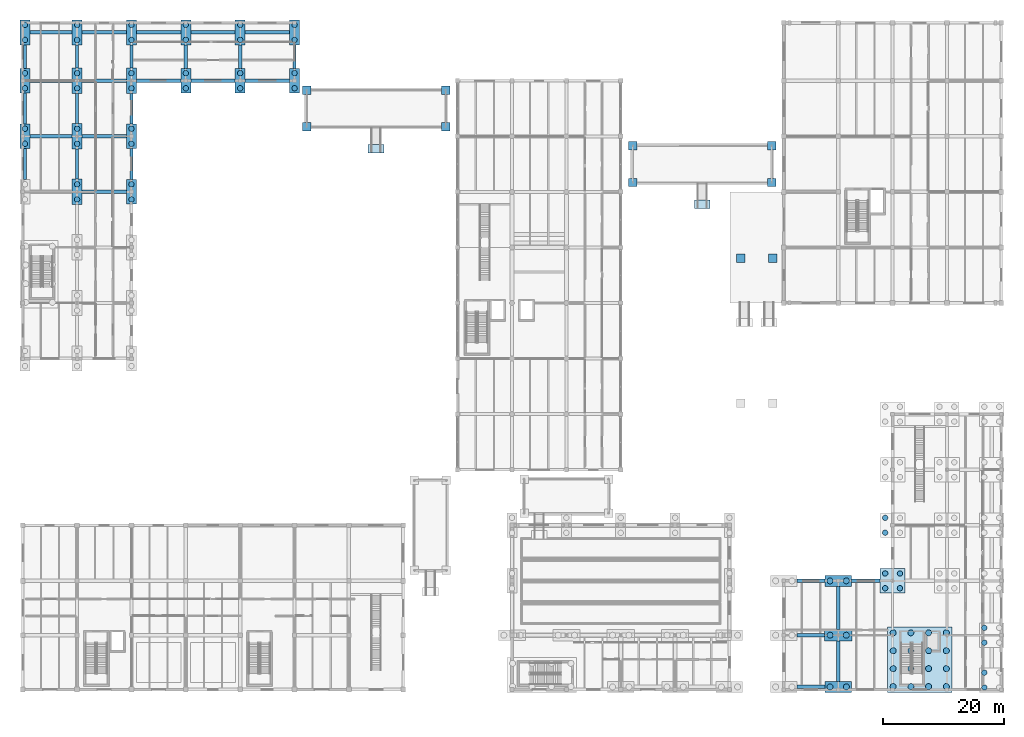
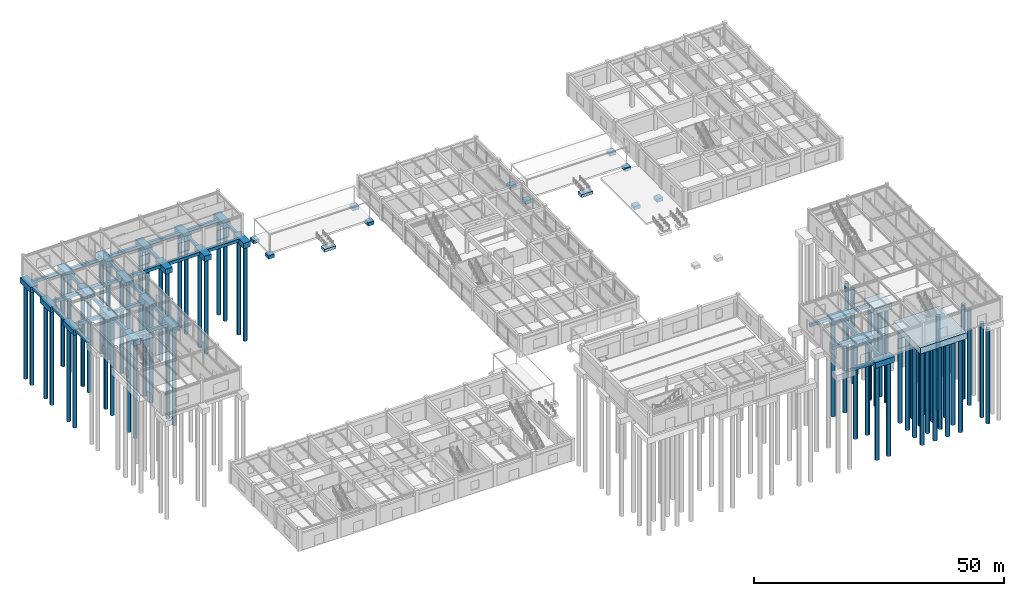
# One storey, part 2 of 76: 66 piles, 65 footings.
"""IFC4 building model written with IfcOpenShell, lengths in metres."""

import ifcopenshell
import ifcopenshell.guid

model = None  # the IFC model being written
_history = None  # IfcOwnerHistory: only IFC2X3 demands one
_inside = {}  # id of a spatial element -> (the spatial element, [elements in it])
_under = {}  # id of a project, library or spatial element -> (it, [spatial elements below it])
_declared = {}  # id of a project -> (the project, [libraries it declares])
_typed = {}  # id of a type object -> (the type object, [elements of that type])
_made_of = {}  # id of a material, layer set ... -> (it, [elements and type objects made of it])


def new_model(schema):
    """Start an empty IFC model of exactly this schema.

    Asked for "IFC4X3", IfcOpenShell would pick the latest addendum, in which some entities
    have other attributes; the version numbers below select the first issue.
    IFC2X3 requires an IfcOwnerHistory on every rooted entity: one is made here for all.
    """
    global model, _history
    if schema == "IFC4X3":
        model = ifcopenshell.file(schema_version=(4, 3, 0, 0))
    else:
        model = ifcopenshell.file(schema=schema)
    _inside.clear()
    _under.clear()
    _declared.clear()
    _typed.clear()
    _made_of.clear()
    _history = None
    if model.schema == "IFC2X3":
        org = make("IfcOrganization", Name="unknown")
        user = make(
            "IfcPersonAndOrganization",
            ThePerson=make("IfcPerson", FamilyName="unknown"),
            TheOrganization=org,
        )
        app = make(
            "IfcApplication",
            ApplicationDeveloper=org,
            Version="unknown",
            ApplicationFullName="unknown",
            ApplicationIdentifier="unknown",
        )
        _history = make(
            "IfcOwnerHistory",
            OwningUser=user,
            OwningApplication=app,
            ChangeAction="ADDED",
            CreationDate=0,
        )
    return model


def make(cls, **values):
    """One entity of the class cls with the attributes given. An attribute that is None is left unset."""
    return model.create_entity(
        cls, **{name: value for name, value in values.items() if value is not None}
    )


def rooted(cls, **values):
    """An entity with a GlobalId (a new one), such as an element, a storey or a relation."""
    return make(cls, GlobalId=ifcopenshell.guid.new(), OwnerHistory=_history, **values)


def si_unit(unit_type, name, prefix=None):
    """IfcSIUnit, for example si_unit("LENGTHUNIT", "METRE", prefix="MILLI")."""
    return make("IfcSIUnit", UnitType=unit_type, Prefix=prefix, Name=name)


def assignment(units):
    """IfcUnitAssignment: the units of a project."""
    return None if units is None else make("IfcUnitAssignment", Units=units)


def point(xyz):
    """IfcCartesianPoint."""
    return None if xyz is None else make("IfcCartesianPoint", Coordinates=xyz)


def direction(xyz):
    """IfcDirection."""
    return None if xyz is None else make("IfcDirection", DirectionRatios=xyz)


def frame(location, z_axis=None, x_axis=None):
    """IfcAxis2Placement3D, a coordinate frame: its origin and axes. An axis left out is left unset."""
    return make(
        "IfcAxis2Placement3D",
        Location=point(location),
        Axis=direction(z_axis),
        RefDirection=direction(x_axis),
    )


def frame_2d(location, x_axis=None):
    """IfcAxis2Placement2D, a coordinate frame in the plane: its origin and x axis."""
    return make(
        "IfcAxis2Placement2D", Location=point(location), RefDirection=direction(x_axis)
    )


def origin():
    """The frame at (0, 0, 0) with its axes left unset."""
    return frame((0.0, 0.0, 0.0))


def origin_2d():
    """The frame at (0, 0) in the plane with its x axis left unset."""
    return frame_2d((0.0, 0.0))


def place(relative_to, where):
    """IfcLocalPlacement: puts the frame where relative to a parent placement (None: the world)."""
    return make(
        "IfcLocalPlacement", PlacementRelTo=relative_to, RelativePlacement=where
    )


def context(
    kind, dimensions, precision=None, world=None, true_north=None, identifier=None
):
    """IfcGeometricRepresentationContext, for example the 3D "Model" context."""
    return make(
        "IfcGeometricRepresentationContext",
        ContextIdentifier=identifier,
        ContextType=kind,
        CoordinateSpaceDimension=dimensions,
        Precision=precision,
        WorldCoordinateSystem=world,
        TrueNorth=true_north,
    )


def subcontext(parent, identifier, kind, view, scale=None):
    """IfcGeometricRepresentationSubContext, for example "Body" below "Model"."""
    return make(
        "IfcGeometricRepresentationSubContext",
        ContextIdentifier=identifier,
        ContextType=kind,
        ParentContext=parent,
        TargetScale=scale,
        TargetView=view,
    )


def project(units=None, contexts=None):
    """IfcProject with its units and contexts."""
    return rooted(
        "IfcProject",
        Name="project",
        RepresentationContexts=contexts,
        UnitsInContext=assignment(units),
    )


def spatial(cls, under=None, at=None, **own):
    """A site, building, storey or space (cls), placed at a placement, below another one or the project."""
    s = rooted(cls, ObjectPlacement=at, **own)
    if under is not None:
        _under.setdefault(under.id(), (under, []))[1].append(s)
    return s


def profile(cls, at=None, kind="AREA", **sizes):
    """A parametric profile (cls). Its sizes go by their IFC names, for example OverallWidth=200.0."""
    return make(cls, ProfileType=kind, Position=at, **sizes)


def rectangle(**sizes):
    """IfcRectangleProfileDef."""
    return profile("IfcRectangleProfileDef", **sizes)


def circle(**sizes):
    """IfcCircleProfileDef."""
    return profile("IfcCircleProfileDef", **sizes)


def extrude(swept, where, along, depth):
    """IfcExtrudedAreaSolid: the profile swept, set in the frame where, extruded along a direction by depth."""
    return make(
        "IfcExtrudedAreaSolid",
        SweptArea=swept,
        Position=where,
        ExtrudedDirection=direction(along),
        Depth=depth,
    )


def shape(context_of_items, identifier, shape_type, items):
    """IfcShapeRepresentation: the items that make up one representation, for example the "Body"."""
    return make(
        "IfcShapeRepresentation",
        ContextOfItems=context_of_items,
        RepresentationIdentifier=identifier,
        RepresentationType=shape_type,
        Items=items,
    )


def material(Name=None, Category=None):
    """IfcMaterial."""
    return make("IfcMaterial", Name=Name, Category=Category)


def material_profile(
    of_material, cross_section, Name=None, Category=None, Priority=None
):
    """IfcMaterialProfile: a cross section and its material."""
    return make(
        "IfcMaterialProfile",
        Name=Name,
        Material=of_material,
        Profile=cross_section,
        Priority=Priority,
        Category=Category,
    )


def profile_set(profiles, Name=None, composite=None):
    """IfcMaterialProfileSet."""
    return make(
        "IfcMaterialProfileSet",
        Name=Name,
        MaterialProfiles=profiles,
        CompositeProfile=composite,
    )


def made_of(thing, what):
    """Note that an element or type object is made of a material, layer set ...; save() writes the relation."""
    if what is not None:
        _made_of.setdefault(what.id(), (what, []))[1].append(thing)
    return thing


def type_object(cls, material=None, **own):
    """A type object (cls), such as IfcWallType, which elements share."""
    return made_of(rooted(cls, **own), material)


def element(
    cls,
    number,
    at=None,
    inside=None,
    cuts=None,
    type_object=None,
    material=None,
    context=None,
    identifier="Body",
    shape_type=None,
    held_by="IfcProductDefinitionShape",
    body=None,
    shapes=None,
    **own,
):
    """One element of the class cls, such as IfcWall. Its Tag is "e" and its number.

    at: its placement. inside: the storey or other place that contains it. cuts: it is an
    opening in that element (IfcRelVoidsElement). A single representation is given by context,
    identifier, shape_type and body (its items); several are given by shapes. held_by: the class
    of the entity that holds the representations. save() writes the other relations.
    """
    e = rooted(cls, Tag="e%d" % number, ObjectPlacement=at, **own)
    if body is not None:
        shapes = [shape(context, identifier, shape_type, body)]
    if shapes is not None:
        e.Representation = make(held_by, Representations=shapes)
    if inside is not None:
        _inside.setdefault(inside.id(), (inside, []))[1].append(e)
    if cuts is not None:
        rooted(
            "IfcRelVoidsElement", RelatingBuildingElement=cuts, RelatedOpeningElement=e
        )
    if type_object is not None:
        _typed.setdefault(type_object.id(), (type_object, []))[1].append(e)
    return made_of(e, material)


def aggregate(whole, parts):
    """IfcRelAggregates: a whole, such as a stair, and the parts it consists of."""
    return rooted("IfcRelAggregates", RelatingObject=whole, RelatedObjects=parts)


def save(model, path):
    """Write the relations noted so far, then the file.

    IfcRelAggregates (storeys below a building ...), IfcRelContainedInSpatialStructure (elements
    in a storey), IfcRelDefinesByType, IfcRelAssociatesMaterial and IfcRelDeclares: one each for
    every whole, place, type object, material and project.
    """
    for whole, parts in _under.values():
        aggregate(whole, parts)
    for where, things in _inside.values():
        rooted(
            "IfcRelContainedInSpatialStructure",
            RelatedElements=things,
            RelatingStructure=where,
        )
    for kind, things in _typed.values():
        rooted("IfcRelDefinesByType", RelatedObjects=things, RelatingType=kind)
    for what, things in _made_of.values():
        rooted("IfcRelAssociatesMaterial", RelatedObjects=things, RelatingMaterial=what)
    for by, libraries in _declared.values():
        rooted("IfcRelDeclares", RelatingContext=by, RelatedDefinitions=libraries)
    model.write(path)


model = new_model("IFC4")

# Units and contexts
model_context = context("Model", 3, precision=1e-05, world=origin(), true_north=direction((0.0, 1.0)))
body_context = subcontext(model_context, "Body", "Model", "MODEL_VIEW")
ifc_project = project(units=[si_unit("LENGTHUNIT", "METRE"), si_unit("AREAUNIT", "SQUARE_METRE"), si_unit("VOLUMEUNIT", "CUBIC_METRE"), si_unit("PLANEANGLEUNIT", "RADIAN"), si_unit("MASSUNIT", "GRAM", prefix="KILO")], contexts=[model_context])

# Site, building, storey
site_placement = place(None, origin())
site = spatial("IfcSite", under=ifc_project, at=site_placement, CompositionType="ELEMENT")
building_placement = place(site_placement, origin())
building = spatial("IfcBuilding", under=site, at=building_placement, Name="Bozkorgan Art Gallery", CompositionType="ELEMENT")
storey_placement = place(building_placement, origin())
storey = spatial("IfcBuildingStorey", under=building, at=storey_placement, Name="L00", CompositionType="ELEMENT", Elevation=0.0)

# Footings
ifc_material = material(Name="Concrete C30/37", Category="concrete")
ifc_material_profile_1 = material_profile(ifc_material, rectangle(XDim=0.550048828125, YDim=0.75, at=origin_2d()), Name="FND 550x750")
ifc_profile_set_1 = profile_set([ifc_material_profile_1], Name="Concrete C30/37")
footing_type_1 = type_object("IfcFootingType", Name="FOOTING-FB-58", PredefinedType="FOOTING_BEAM", material=ifc_profile_set_1)
footing_1_placement = place(storey_placement, frame((11.85009765625, 84.39990234375, -0.824951171875), z_axis=(1.0, 0.0, 0.0), x_axis=(0.0, 1.0, 0.0)))
element("IfcFooting", 1, at=footing_1_placement, inside=storey, type_object=footing_type_1, Name="V2 foundation tie beam X (11-20, 84.4)", PredefinedType="FOOTING_BEAM", context=body_context, shape_type="SweptSolid", body=[
    extrude(rectangle(XDim=0.550048828125, YDim=0.75, at=origin_2d()), origin(), (0.0, 0.0, 1.0), 7.324951171875),
])
footing_2_placement = place(storey_placement, frame((3.199951171875, 93.60009765625, -0.824951171875), z_axis=(1.0, 0.0, 0.0), x_axis=(0.0, 1.0, 0.0)))
element("IfcFooting", 2, at=footing_2_placement, inside=storey, type_object=footing_type_1, Name="V2 foundation tie beam X (2-11, 93.6)", PredefinedType="FOOTING_BEAM", context=body_context, shape_type="SweptSolid", body=[
    extrude(rectangle(XDim=0.550048828125, YDim=0.75, at=origin_2d()), origin(), (0.0, 0.0, 1.0), 6.949951171875),
])
footing_3_placement = place(storey_placement, frame((11.85009765625, 93.60009765625, -0.824951171875), z_axis=(1.0, 0.0, 0.0), x_axis=(0.0, 1.0, 0.0)))
element("IfcFooting", 3, at=footing_3_placement, inside=storey, type_object=footing_type_1, Name="V2 foundation tie beam X (11-20, 93.6)", PredefinedType="FOOTING_BEAM", context=body_context, shape_type="SweptSolid", body=[
    extrude(rectangle(XDim=0.550048828125, YDim=0.75, at=origin_2d()), origin(), (0.0, 0.0, 1.0), 7.324951171875),
])
footing_4_placement = place(storey_placement, frame((3.199951171875, 102.800048828125, -0.824951171875), z_axis=(1.0, 0.0, 0.0), x_axis=(0.0, 1.0, 0.0)))
element("IfcFooting", 4, at=footing_4_placement, inside=storey, type_object=footing_type_1, Name="V2 foundation tie beam X (2-11, 102.8)", PredefinedType="FOOTING_BEAM", context=body_context, shape_type="SweptSolid", body=[
    extrude(rectangle(XDim=0.550048828125, YDim=0.75, at=origin_2d()), origin(), (0.0, 0.0, 1.0), 6.949951171875),
])
footing_5_placement = place(storey_placement, frame((11.85009765625, 102.800048828125, -0.824951171875), z_axis=(1.0, 0.0, 0.0), x_axis=(0.0, 1.0, 0.0)))
element("IfcFooting", 5, at=footing_5_placement, inside=storey, type_object=footing_type_1, Name="V2 foundation tie beam X (11-20, 102.8)", PredefinedType="FOOTING_BEAM", context=body_context, shape_type="SweptSolid", body=[
    extrude(rectangle(XDim=0.550048828125, YDim=0.75, at=origin_2d()), origin(), (0.0, 0.0, 1.0), 7.2998046875),
])
footing_6_placement = place(storey_placement, frame((20.85009765625, 102.800048828125, -0.824951171875), z_axis=(1.0, 0.0, 0.0), x_axis=(0.0, 1.0, 0.0)))
element("IfcFooting", 6, at=footing_6_placement, inside=storey, type_object=footing_type_1, Name="V2 foundation tie beam X (20-29, 102.8)", PredefinedType="FOOTING_BEAM", context=body_context, shape_type="SweptSolid", body=[
    extrude(rectangle(XDim=0.550048828125, YDim=0.75, at=origin_2d()), origin(), (0.0, 0.0, 1.0), 7.324951171875),
])
for number, where, z_axis, x_axis, name in (
    (7, (29.824951171875, 102.800048828125, -0.824951171875), (1.0, 0.0, 0.0), (0.0, 1.0, 0.0), "V2 foundation tie beam X (29-38, 102.8)"),
    (8, (38.824951171875, 102.800048828125, -0.824951171875), (1.0, 0.0, 0.0), (0.0, 1.0, 0.0), "V2 foundation tie beam X (38-47, 102.8)"),
):
    element("IfcFooting", number, at=place(storey_placement, frame(where, z_axis=z_axis, x_axis=x_axis)), inside=storey, type_object=footing_type_1, Name=name, PredefinedType="FOOTING_BEAM", context=body_context, shape_type="SweptSolid", body=[
        extrude(rectangle(XDim=0.550048828125, YDim=0.75, at=origin_2d()), origin(), (0.0, 0.0, 1.0), 7.35009765625),
    ])
footing_7_placement = place(storey_placement, frame((3.199951171875, 110.800048828125, -0.824951171875), z_axis=(1.0, 0.0, 0.0), x_axis=(0.0, 1.0, 0.0)))
element("IfcFooting", 9, at=footing_7_placement, inside=storey, type_object=footing_type_1, Name="V2 foundation tie beam X (2-11, 112.4)", PredefinedType="FOOTING_BEAM", context=body_context, shape_type="SweptSolid", body=[
    extrude(rectangle(XDim=0.550048828125, YDim=0.75, at=origin_2d()), origin(), (0.0, 0.0, 1.0), 6.97509765625),
])
for number, where, z_axis, x_axis, name in (
    (10, (11.824951171875, 110.800048828125, -0.824951171875), (1.0, 0.0, 0.0), (0.0, 1.0, 0.0), "V2 foundation tie beam X (11-20, 112.4)"),
    (11, (20.824951171875, 110.800048828125, -0.824951171875), (1.0, 0.0, 0.0), (0.0, 1.0, 0.0), "V2 foundation tie beam X (20-29, 112.4)"),
    (12, (29.824951171875, 110.800048828125, -0.824951171875), (1.0, 0.0, 0.0), (0.0, 1.0, 0.0), "V2 foundation tie beam X (29-38, 112.4)"),
    (13, (38.824951171875, 110.800048828125, -0.824951171875), (1.0, 0.0, 0.0), (0.0, 1.0, 0.0), "V2 foundation tie beam X (38-47, 112.4)"),
):
    element("IfcFooting", number, at=place(storey_placement, frame(where, z_axis=z_axis, x_axis=x_axis)), inside=storey, type_object=footing_type_1, Name=name, PredefinedType="FOOTING_BEAM", context=body_context, shape_type="SweptSolid", body=[
        extrude(rectangle(XDim=0.550048828125, YDim=0.75, at=origin_2d()), origin(), (0.0, 0.0, 1.0), 7.35009765625),
    ])
for number, where, z_axis, x_axis, name in (
    (14, (2.375, 86.449951171875, -0.824951171875), (0.0, 1.0, 0.0), (-1.0, 0.0, 0.0), "V2 foundation tie beam Y (2, 84.4-93.6)"),
    (15, (2.375, 95.64990234375, -0.824951171875), (0.0, 1.0, 0.0), (-1.0, 0.0, 0.0), "V2 foundation tie beam Y (2, 93.6-102.8)"),
):
    element("IfcFooting", number, at=place(storey_placement, frame(where, z_axis=z_axis, x_axis=x_axis)), inside=storey, type_object=footing_type_1, Name=name, PredefinedType="FOOTING_BEAM", context=body_context, shape_type="SweptSolid", body=[
        extrude(rectangle(XDim=0.550048828125, YDim=0.75, at=origin_2d()), origin(), (0.0, 0.0, 1.0), 5.10009765625),
    ])
footing_8_placement = place(storey_placement, frame((2.375, 104.85009765625, -0.824951171875), z_axis=(0.0, 1.0, 0.0), x_axis=(-1.0, 0.0, 0.0)))
element("IfcFooting", 16, at=footing_8_placement, inside=storey, type_object=footing_type_1, Name="V2 foundation tie beam Y (2, 102.8-112.4)", PredefinedType="FOOTING_BEAM", context=body_context, shape_type="SweptSolid", body=[
    extrude(rectangle(XDim=0.550048828125, YDim=0.75, at=origin_2d()), origin(), (0.0, 0.0, 1.0), 3.89990234375),
])
for number, where, z_axis, x_axis, name in (
    (17, (11.0, 86.5, -0.824951171875), (0.0, 1.0, 0.0), (-1.0, 0.0, 0.0), "V2 foundation tie beam Y (11, 84.4-93.6)"),
    (18, (11.0, 95.699951171875, -0.824951171875), (0.0, 1.0, 0.0), (-1.0, 0.0, 0.0), "V2 foundation tie beam Y (11, 93.6-102.8)"),
):
    element("IfcFooting", number, at=place(storey_placement, frame(where, z_axis=z_axis, x_axis=x_axis)), inside=storey, type_object=footing_type_1, Name=name, PredefinedType="FOOTING_BEAM", context=body_context, shape_type="SweptSolid", body=[
        extrude(rectangle(XDim=0.550048828125, YDim=0.75, at=origin_2d()), origin(), (0.0, 0.0, 1.0), 5.0),
    ])
footing_9_placement = place(storey_placement, frame((11.0, 104.89990234375, -0.824951171875), z_axis=(0.0, 1.0, 0.0), x_axis=(-1.0, 0.0, 0.0)))
element("IfcFooting", 19, at=footing_9_placement, inside=storey, type_object=footing_type_1, Name="V2 foundation tie beam Y (11, 102.8-112.4)", PredefinedType="FOOTING_BEAM", context=body_context, shape_type="SweptSolid", body=[
    extrude(rectangle(XDim=0.550048828125, YDim=0.75, at=origin_2d()), origin(), (0.0, 0.0, 1.0), 3.85009765625),
])
footing_10_placement = place(storey_placement, frame((20.0, 86.449951171875, -0.824951171875), z_axis=(0.0, 1.0, 0.0), x_axis=(-1.0, 0.0, 0.0)))
element("IfcFooting", 20, at=footing_10_placement, inside=storey, type_object=footing_type_1, Name="V2 foundation tie beam Y (20, 84.4-93.6)", PredefinedType="FOOTING_BEAM", context=body_context, shape_type="SweptSolid", body=[
    extrude(rectangle(XDim=0.550048828125, YDim=0.75, at=origin_2d()), origin(), (0.0, 0.0, 1.0), 5.10009765625),
])
footing_11_placement = place(storey_placement, frame((20.0, 95.64990234375, -0.824951171875), z_axis=(0.0, 1.0, 0.0), x_axis=(-1.0, 0.0, 0.0)))
element("IfcFooting", 21, at=footing_11_placement, inside=storey, type_object=footing_type_1, Name="V2 foundation tie beam Y (20, 93.6-102.8)", PredefinedType="FOOTING_BEAM", context=body_context, shape_type="SweptSolid", body=[
    extrude(rectangle(XDim=0.550048828125, YDim=0.75, at=origin_2d()), origin(), (0.0, 0.0, 1.0), 5.050048828125),
])
footing_12_placement = place(storey_placement, frame((20.0, 104.89990234375, -0.824951171875), z_axis=(0.0, 1.0, 0.0), x_axis=(-1.0, 0.0, 0.0)))
element("IfcFooting", 22, at=footing_12_placement, inside=storey, type_object=footing_type_1, Name="V2 foundation tie beam Y (20, 102.8-112.4)", PredefinedType="FOOTING_BEAM", context=body_context, shape_type="SweptSolid", body=[
    extrude(rectangle(XDim=0.550048828125, YDim=0.75, at=origin_2d()), origin(), (0.0, 0.0, 1.0), 3.85009765625),
])
for number, where, z_axis, x_axis, name in (
    (23, (29.0, 104.85009765625, -0.824951171875), (0.0, 1.0, 0.0), (-1.0, 0.0, 0.0), "V2 foundation tie beam Y (29, 102.8-112.4)"),
    (24, (38.0, 104.85009765625, -0.824951171875), (0.0, 1.0, 0.0), (-1.0, 0.0, 0.0), "V2 foundation tie beam Y (38, 102.8-112.4)"),
    (25, (47.0, 104.85009765625, -0.824951171875), (0.0, 1.0, 0.0), (-1.0, 0.0, 0.0), "V2 foundation tie beam Y (47, 102.8-112.4)"),
):
    element("IfcFooting", number, at=place(storey_placement, frame(where, z_axis=z_axis, x_axis=x_axis)), inside=storey, type_object=footing_type_1, Name=name, PredefinedType="FOOTING_BEAM", context=body_context, shape_type="SweptSolid", body=[
        extrude(rectangle(XDim=0.550048828125, YDim=0.75, at=origin_2d()), origin(), (0.0, 0.0, 1.0), 3.89990234375),
    ])
footing_13_placement = place(storey_placement, frame((130.199951171875, 2.449951171875, -0.824951171875), z_axis=(1.0, 0.0, 0.0), x_axis=(0.0, 1.0, 0.0)))
element("IfcFooting", 26, at=footing_13_placement, inside=storey, type_object=footing_type_1, Name="V6 foundation tie beam X (128-137, 2.0)", PredefinedType="FOOTING_BEAM", context=body_context, shape_type="SweptSolid", body=[
    extrude(rectangle(XDim=0.550048828125, YDim=0.75, at=origin_2d()), origin(), (0.0, 0.0, 1.0), 4.60009765625),
])
footing_14_placement = place(storey_placement, frame((130.199951171875, 11.0, -0.824951171875), z_axis=(1.0, 0.0, 0.0), x_axis=(0.0, 1.0, 0.0)))
element("IfcFooting", 27, at=footing_14_placement, inside=storey, type_object=footing_type_1, Name="V6 foundation tie beam X (128-137, 11.0)", PredefinedType="FOOTING_BEAM", context=body_context, shape_type="SweptSolid", body=[
    extrude(rectangle(XDim=0.550048828125, YDim=0.75, at=origin_2d()), origin(), (0.0, 0.0, 1.0), 4.550048828125),
])
footing_15_placement = place(storey_placement, frame((130.199951171875, 20.0, -0.824951171875), z_axis=(1.0, 0.0, 0.0), x_axis=(0.0, 1.0, 0.0)))
element("IfcFooting", 28, at=footing_15_placement, inside=storey, type_object=footing_type_1, Name="V6 foundation tie beam X (128-137, 20.0)", PredefinedType="FOOTING_BEAM", context=body_context, shape_type="SweptSolid", body=[
    extrude(rectangle(XDim=0.550048828125, YDim=0.75, at=origin_2d()), origin(), (0.0, 0.0, 1.0), 4.60009765625),
])
footing_16_placement = place(storey_placement, frame((139.199951171875, 20.0, -0.824951171875), z_axis=(1.0, 0.0, 0.0), x_axis=(0.0, 1.0, 0.0)))
element("IfcFooting", 29, at=footing_16_placement, inside=storey, type_object=footing_type_1, Name="V6 foundation tie beam X (137-146, 20.0)", PredefinedType="FOOTING_BEAM", context=body_context, shape_type="SweptSolid", body=[
    extrude(rectangle(XDim=0.550048828125, YDim=0.75, at=origin_2d()), origin(), (0.0, 0.0, 1.0), 4.75),
])
footing_17_placement = place(storey_placement, frame((137.0, 3.35009765625, -0.824951171875), z_axis=(0.0, 1.0, 0.0), x_axis=(-1.0, 0.0, 0.0)))
element("IfcFooting", 30, at=footing_17_placement, inside=storey, type_object=footing_type_1, Name="V6 foundation tie beam Y (137, 2.0-11.0)", PredefinedType="FOOTING_BEAM", context=body_context, shape_type="SweptSolid", body=[
    extrude(rectangle(XDim=0.550048828125, YDim=0.75, at=origin_2d()), origin(), (0.0, 0.0, 1.0), 6.724853515625),
])
footing_18_placement = place(storey_placement, frame((137.0, 11.925048828125, -0.824951171875), z_axis=(0.0, 1.0, 0.0), x_axis=(-1.0, 0.0, 0.0)))
element("IfcFooting", 31, at=footing_18_placement, inside=storey, type_object=footing_type_1, Name="V6 foundation tie beam Y (137, 11.0-20.0)", PredefinedType="FOOTING_BEAM", context=body_context, shape_type="SweptSolid", body=[
    extrude(rectangle(XDim=0.550048828125, YDim=0.75, at=origin_2d()), origin(), (0.0, 0.0, 1.0), 7.175048828125),
])
footing_type_2 = type_object("IfcFootingType", Name="FOOTING-PC-02", PredefinedType="PILE_CAP", material=ifc_material)
footing_19_placement = place(storey_placement, frame((137.0, 11.0, -1.89990234375), z_axis=(0.0, 0.0, 1.0), x_axis=(1.0, 0.0, 0.0)))
element("IfcFooting", 32, at=footing_19_placement, inside=storey, type_object=footing_type_2, Name="V6 pile cap (137.0, 11.0)", PredefinedType="PILE_CAP", context=body_context, shape_type="SweptSolid", body=[
    extrude(rectangle(XDim=4.5, YDim=1.85009765625, at=origin_2d()), origin(), (0.0, 0.0, 1.0), 1.449951171875),
])
footing_type_3 = type_object("IfcFootingType", Name="FOOTING-PC-07", PredefinedType="PILE_CAP", material=ifc_material)
footing_20_placement = place(storey_placement, frame((146.0, 20.0, -1.89990234375), z_axis=(0.0, 0.0, 1.0), x_axis=(1.0, 0.0, 0.0)))
element("IfcFooting", 33, at=footing_20_placement, inside=storey, type_object=footing_type_3, Name="V6 pile cap (146.0, 20.0)", PredefinedType="PILE_CAP", context=body_context, shape_type="SweptSolid", body=[
    extrude(rectangle(XDim=4.10009765625, YDim=4.10009765625, at=origin_2d()), origin(), (0.0, 0.0, 1.0), 1.449951171875),
])
footing_type_4 = type_object("IfcFootingType", Name="FOOTING-PC-35", PredefinedType="PILE_CAP", material=ifc_material)
for number, where, z_axis, x_axis, name in (
    (34, (2.375, 93.60009765625, -1.75), (0.0, 0.0, 1.0), (1.0, 0.0, 0.0), "V2 pile cap (2.0, 93.6)"),
    (35, (2.375, 102.800048828125, -1.75), (0.0, 0.0, 1.0), (1.0, 0.0, 0.0), "V2 pile cap (2.0, 102.8)"),
    (36, (2.375, 110.800048828125, -1.75), (0.0, 0.0, 1.0), (1.0, 0.0, 0.0), "V2 pile cap (2.0, 112.4)"),
    (37, (11.0, 110.800048828125, -1.75), (0.0, 0.0, 1.0), (1.0, 0.0, 0.0), "V2 pile cap (11.0, 112.4)"),
    (38, (20.0, 84.39990234375, -1.75), (0.0, 0.0, 1.0), (1.0, 0.0, 0.0), "V2 pile cap (20.0, 84.4)"),
    (39, (20.0, 93.60009765625, -1.75), (0.0, 0.0, 1.0), (1.0, 0.0, 0.0), "V2 pile cap (20.0, 93.6)"),
    (40, (20.0, 110.800048828125, -1.75), (0.0, 0.0, 1.0), (1.0, 0.0, 0.0), "V2 pile cap (20.0, 112.4)"),
    (41, (29.0, 102.800048828125, -1.75), (0.0, 0.0, 1.0), (1.0, 0.0, 0.0), "V2 pile cap (29.0, 102.8)"),
    (42, (29.0, 110.800048828125, -1.75), (0.0, 0.0, 1.0), (1.0, 0.0, 0.0), "V2 pile cap (29.0, 112.4)"),
    (43, (38.0, 102.800048828125, -1.75), (0.0, 0.0, 1.0), (1.0, 0.0, 0.0), "V2 pile cap (38.0, 102.8)"),
    (44, (38.0, 110.800048828125, -1.75), (0.0, 0.0, 1.0), (1.0, 0.0, 0.0), "V2 pile cap (38.0, 112.4)"),
    (45, (47.0, 102.800048828125, -1.75), (0.0, 0.0, 1.0), (1.0, 0.0, 0.0), "V2 pile cap (47.0, 102.8)"),
    (46, (47.0, 110.800048828125, -1.75), (0.0, 0.0, 1.0), (1.0, 0.0, 0.0), "V2 pile cap (47.0, 112.4)"),
):
    element("IfcFooting", number, at=place(storey_placement, frame(where, z_axis=z_axis, x_axis=x_axis)), inside=storey, type_object=footing_type_4, Name=name, PredefinedType="PILE_CAP", context=body_context, shape_type="SweptSolid", body=[
        extrude(rectangle(XDim=1.64990234375, YDim=4.10009765625, at=origin_2d()), origin(), (0.0, 0.0, 1.0), 1.300048828125),
    ])
footing_type_5 = type_object("IfcFootingType", Name="FOOTING-PC-46", PredefinedType="PILE_CAP", material=ifc_material)
footing_21_placement = place(storey_placement, frame((150.5, 6.949951171875, -1.949951171875), z_axis=(0.0, 0.0, 1.0), x_axis=(1.0, 0.0, 0.0)))
element("IfcFooting", 47, at=footing_21_placement, inside=storey, type_object=footing_type_5, Name="CORE4 combined core pile cap", PredefinedType="PILE_CAP", context=body_context, shape_type="SweptSolid", body=[
    extrude(rectangle(XDim=10.699951171875, YDim=10.800048828125, at=origin_2d()), origin(), (0.0, 0.0, 1.0), 1.5),
])
footing_type_6 = type_object("IfcFootingType", Name="FOOTING-PC-69", PredefinedType="PILE_CAP", material=ifc_material)
for number, where, z_axis, x_axis, name in (
    (48, (137.0, 2.449951171875, -1.849853515625), (0.0, 0.0, 1.0), (1.0, 0.0, 0.0), "V6 pile cap (137.0, 2.0)"),
    (49, (137.0, 20.0, -1.849853515625), (0.0, 0.0, 1.0), (1.0, 0.0, 0.0), "V6 pile cap (137.0, 20.0)"),
):
    element("IfcFooting", number, at=place(storey_placement, frame(where, z_axis=z_axis, x_axis=x_axis)), inside=storey, type_object=footing_type_6, Name=name, PredefinedType="PILE_CAP", context=body_context, shape_type="SweptSolid", body=[
        extrude(rectangle(XDim=4.39990234375, YDim=1.800048828125, at=origin_2d()), origin(), (0.0, 0.0, 1.0), 1.39990234375),
    ])
footing_type_7 = type_object("IfcFootingType", Name="FOOTING-PC-92", PredefinedType="PILE_CAP", material=ifc_material)
for number, where, z_axis, x_axis, name in (
    (50, (11.0, 84.39990234375, -1.800048828125), (0.0, 0.0, 1.0), (1.0, 0.0, 0.0), "V2 pile cap (11.0, 84.4)"),
    (51, (11.0, 93.60009765625, -1.800048828125), (0.0, 0.0, 1.0), (1.0, 0.0, 0.0), "V2 pile cap (11.0, 93.6)"),
    (52, (11.0, 102.800048828125, -1.800048828125), (0.0, 0.0, 1.0), (1.0, 0.0, 0.0), "V2 pile cap (11.0, 102.8)"),
    (53, (20.0, 102.800048828125, -1.800048828125), (0.0, 0.0, 1.0), (1.0, 0.0, 0.0), "V2 pile cap (20.0, 102.8)"),
):
    element("IfcFooting", number, at=place(storey_placement, frame(where, z_axis=z_axis, x_axis=x_axis)), inside=storey, type_object=footing_type_7, Name=name, PredefinedType="PILE_CAP", context=body_context, shape_type="SweptSolid", body=[
        extrude(rectangle(XDim=1.699951171875, YDim=4.199951171875, at=origin_2d()), origin(), (0.0, 0.0, 1.0), 1.35009765625),
    ])
footing_type_8 = type_object("IfcFootingType", Name="FOOTING-PF-27", PredefinedType="PAD_FOOTING", material=ifc_material)
for number, where, z_axis, x_axis, name in (
    (54, (49.0, 95.14990234375, -1.240234375), (0.0, 0.0, 1.0), (1.0, 0.0, 0.0), "North Sculpture-Court Covered Walk pad footing 1"),
    (55, (72.0, 95.14990234375, -1.240234375), (0.0, 0.0, 1.0), (1.0, 0.0, 0.0), "North Sculpture-Court Covered Walk pad footing 2"),
    (56, (72.0, 101.25, -1.240234375), (0.0, 0.0, 1.0), (1.0, 0.0, 0.0), "North Sculpture-Court Covered Walk pad footing 3"),
    (57, (49.0, 101.25, -1.240234375), (0.0, 0.0, 1.0), (1.0, 0.0, 0.0), "North Sculpture-Court Covered Walk pad footing 4"),
    (58, (103.0, 85.949951171875, -1.240234375), (0.0, 0.0, 1.0), (1.0, 0.0, 0.0), "East Water-Court Covered Walk pad footing 1"),
    (59, (126.0, 85.949951171875, -1.240234375), (0.0, 0.0, 1.0), (1.0, 0.0, 0.0), "East Water-Court Covered Walk pad footing 2"),
    (60, (126.0, 92.050048828125, -1.240234375), (0.0, 0.0, 1.0), (1.0, 0.0, 0.0), "East Water-Court Covered Walk pad footing 3"),
    (61, (103.0, 92.050048828125, -1.240234375), (0.0, 0.0, 1.0), (1.0, 0.0, 0.0), "East Water-Court Covered Walk pad footing 4"),
    (62, (126.14990234375, 73.39990234375, -1.22021484375), (0.0, 0.0, 1.0), (1.0, 0.0, 0.0), "Loading Dock Apron pad footing 3"),
    (63, (120.89990234375, 73.39990234375, -1.22021484375), (0.0, 0.0, 1.0), (1.0, 0.0, 0.0), "Loading Dock Apron pad footing 4"),
):
    element("IfcFooting", number, at=place(storey_placement, frame(where, z_axis=z_axis, x_axis=x_axis)), inside=storey, type_object=footing_type_8, Name=name, PredefinedType="PAD_FOOTING", context=body_context, shape_type="SweptSolid", body=[
        extrude(rectangle(XDim=1.39990234375, YDim=1.39990234375, at=origin_2d()), origin(), (0.0, 0.0, 1.0), 0.800048828125),
    ])
footing_type_9 = type_object("IfcFootingType", Name="FOOTING-RMP-PAD", PredefinedType="PAD_FOOTING", material=ifc_material)
for number, where, z_axis, x_axis, name in (
    (64, (60.5, 91.560791015625, -1.169921875), (0.0, 0.0, 1.0), (0.0, 1.0, 0.0), "North Sculpture Walk Accessible Ramp toe footing"),
    (65, (114.5, 82.36083984375, -1.169921875), (0.0, 0.0, 1.0), (0.0, 1.0, 0.0), "East Water-Court Walk Accessible Ramp toe footing"),
):
    element("IfcFooting", number, at=place(storey_placement, frame(where, z_axis=z_axis, x_axis=x_axis)), inside=storey, type_object=footing_type_9, Name=name, PredefinedType="PAD_FOOTING", context=body_context, shape_type="SweptSolid", body=[
        extrude(rectangle(XDim=1.39990234375, YDim=2.60009765625, at=origin_2d()), origin(), (0.0, 0.0, 1.0), 0.699951171875),
    ])

# Piles
ifc_material_profile_2 = material_profile(ifc_material, circle(Radius=0.5, at=origin_2d()), Name="PILE D1000")
ifc_profile_set_2 = profile_set([ifc_material_profile_2], Name="Concrete C30/37")
pile_type_1 = type_object("IfcPileType", Name="PILE-P-36", PredefinedType="BORED", material=ifc_profile_set_2)
for number, where, z_axis, x_axis, name in (
    (66, (146.10009765625, 2.5, -1.85009765625), (0.0, 0.0, -1.0), (1.0, 0.0, 0.0), "CORE4 bored pile 1"),
    (67, (146.10009765625, 5.466796875, -1.85009765625), (0.0, 0.0, -1.0), (1.0, 0.0, 0.0), "CORE4 bored pile 2"),
    (68, (146.10009765625, 8.433349609375, -1.85009765625), (0.0, 0.0, -1.0), (1.0, 0.0, 0.0), "CORE4 bored pile 3"),
    (69, (146.10009765625, 11.39990234375, -1.85009765625), (0.0, 0.0, -1.0), (1.0, 0.0, 0.0), "CORE4 bored pile 4"),
    (70, (149.033203125, 2.5, -1.85009765625), (0.0, 0.0, -1.0), (1.0, 0.0, 0.0), "CORE4 bored pile 5"),
    (71, (149.033203125, 5.466796875, -1.85009765625), (0.0, 0.0, -1.0), (1.0, 0.0, 0.0), "CORE4 bored pile 6"),
    (72, (149.033203125, 8.433349609375, -1.85009765625), (0.0, 0.0, -1.0), (1.0, 0.0, 0.0), "CORE4 bored pile 7"),
    (73, (149.033203125, 11.39990234375, -1.85009765625), (0.0, 0.0, -1.0), (1.0, 0.0, 0.0), "CORE4 bored pile 8"),
    (74, (151.966796875, 2.5, -1.85009765625), (0.0, 0.0, -1.0), (1.0, 0.0, 0.0), "CORE4 bored pile 9"),
    (75, (151.966796875, 5.466796875, -1.85009765625), (0.0, 0.0, -1.0), (1.0, 0.0, 0.0), "CORE4 bored pile 10"),
    (76, (151.966796875, 8.433349609375, -1.85009765625), (0.0, 0.0, -1.0), (1.0, 0.0, 0.0), "CORE4 bored pile 11"),
    (77, (151.966796875, 11.39990234375, -1.85009765625), (0.0, 0.0, -1.0), (1.0, 0.0, 0.0), "CORE4 bored pile 12"),
    (78, (154.89990234375, 2.5, -1.85009765625), (0.0, 0.0, -1.0), (1.0, 0.0, 0.0), "CORE4 bored pile 13"),
    (79, (154.89990234375, 5.466796875, -1.85009765625), (0.0, 0.0, -1.0), (1.0, 0.0, 0.0), "CORE4 bored pile 14"),
    (80, (154.89990234375, 8.433349609375, -1.85009765625), (0.0, 0.0, -1.0), (1.0, 0.0, 0.0), "CORE4 bored pile 15"),
    (81, (154.89990234375, 11.39990234375, -1.85009765625), (0.0, 0.0, -1.0), (1.0, 0.0, 0.0), "CORE4 bored pile 16"),
):
    element("IfcPile", number, at=place(storey_placement, frame(where, z_axis=z_axis, x_axis=x_axis)), inside=storey, type_object=pile_type_1, Name=name, PredefinedType="BORED", context=body_context, shape_type="SweptSolid", body=[
        extrude(circle(Radius=0.5, at=origin_2d()), origin(), (0.0, 0.0, 1.0), 22.949951171875),
    ])
for number, where, z_axis, x_axis, name in (
    (82, (135.64990234375, 2.449951171875, -1.75), (0.0, 0.0, -1.0), (1.0, 0.0, 0.0), "V6 pile (137.0, 2.0) #1"),
    (83, (138.35009765625, 2.449951171875, -1.75), (0.0, 0.0, -1.0), (1.0, 0.0, 0.0), "V6 pile (137.0, 2.0) #2"),
):
    element("IfcPile", number, at=place(storey_placement, frame(where, z_axis=z_axis, x_axis=x_axis)), inside=storey, type_object=pile_type_1, Name=name, PredefinedType="BORED", context=body_context, shape_type="SweptSolid", body=[
        extrude(circle(Radius=0.5, at=origin_2d()), origin(), (0.0, 0.0, 1.0), 23.050048828125),
    ])
for number, where, z_axis, x_axis, name in (
    (84, (135.64990234375, 11.0, -1.800048828125), (0.0, 0.0, -1.0), (1.0, 0.0, 0.0), "V6 pile (137.0, 11.0) #1"),
    (85, (138.35009765625, 11.0, -1.800048828125), (0.0, 0.0, -1.0), (1.0, 0.0, 0.0), "V6 pile (137.0, 11.0) #2"),
):
    element("IfcPile", number, at=place(storey_placement, frame(where, z_axis=z_axis, x_axis=x_axis)), inside=storey, type_object=pile_type_1, Name=name, PredefinedType="BORED", context=body_context, shape_type="SweptSolid", body=[
        extrude(circle(Radius=0.5, at=origin_2d()), origin(), (0.0, 0.0, 1.0), 23.0),
    ])
for number, where, z_axis, x_axis, name in (
    (86, (135.64990234375, 20.0, -1.75), (0.0, 0.0, -1.0), (1.0, 0.0, 0.0), "V6 pile (137.0, 20.0) #1"),
    (87, (138.35009765625, 20.0, -1.75), (0.0, 0.0, -1.0), (1.0, 0.0, 0.0), "V6 pile (137.0, 20.0) #2"),
):
    element("IfcPile", number, at=place(storey_placement, frame(where, z_axis=z_axis, x_axis=x_axis)), inside=storey, type_object=pile_type_1, Name=name, PredefinedType="BORED", context=body_context, shape_type="SweptSolid", body=[
        extrude(circle(Radius=0.5, at=origin_2d()), origin(), (0.0, 0.0, 1.0), 23.050048828125),
    ])
ifc_material_profile_3 = material_profile(ifc_material, circle(Radius=0.449951171875, at=origin_2d()), Name="PILE D900")
ifc_profile_set_3 = profile_set([ifc_material_profile_3], Name="Concrete C30/37")
pile_type_2 = type_object("IfcPileType", Name="PILE-P-65", PredefinedType="BORED", material=ifc_profile_set_3)
for number, where, z_axis, x_axis, name in (
    (88, (2.375, 92.35009765625, -1.64990234375), (0.0, 0.0, -1.0), (1.0, 0.0, 0.0), "V2 pile (2.0, 93.6) #1"),
    (89, (2.375, 94.85009765625, -1.64990234375), (0.0, 0.0, -1.0), (1.0, 0.0, 0.0), "V2 pile (2.0, 93.6) #2"),
    (90, (2.375, 101.550048828125, -1.64990234375), (0.0, 0.0, -1.0), (1.0, 0.0, 0.0), "V2 pile (2.0, 102.8) #1"),
    (91, (2.375, 104.050048828125, -1.64990234375), (0.0, 0.0, -1.0), (1.0, 0.0, 0.0), "V2 pile (2.0, 102.8) #2"),
    (92, (2.375, 109.550048828125, -1.64990234375), (0.0, 0.0, -1.0), (1.0, 0.0, 0.0), "V2 pile (2.0, 112.4) #1"),
    (93, (2.375, 112.050048828125, -1.64990234375), (0.0, 0.0, -1.0), (1.0, 0.0, 0.0), "V2 pile (2.0, 112.4) #2"),
):
    element("IfcPile", number, at=place(storey_placement, frame(where, z_axis=z_axis, x_axis=x_axis)), inside=storey, type_object=pile_type_2, Name=name, PredefinedType="BORED", context=body_context, shape_type="SweptSolid", body=[
        extrude(circle(Radius=0.449951171875, at=origin_2d()), origin(), (0.0, 0.0, 1.0), 23.14990234375),
    ])
for number, where, z_axis, x_axis, name in (
    (94, (11.0, 83.14990234375, -1.699951171875), (0.0, 0.0, -1.0), (1.0, 0.0, 0.0), "V2 pile (11.0, 84.4) #1"),
    (95, (11.0, 85.64990234375, -1.699951171875), (0.0, 0.0, -1.0), (1.0, 0.0, 0.0), "V2 pile (11.0, 84.4) #2"),
    (96, (11.0, 92.35009765625, -1.699951171875), (0.0, 0.0, -1.0), (1.0, 0.0, 0.0), "V2 pile (11.0, 93.6) #1"),
    (97, (11.0, 94.85009765625, -1.699951171875), (0.0, 0.0, -1.0), (1.0, 0.0, 0.0), "V2 pile (11.0, 93.6) #2"),
    (98, (11.0, 101.550048828125, -1.699951171875), (0.0, 0.0, -1.0), (1.0, 0.0, 0.0), "V2 pile (11.0, 102.8) #1"),
    (99, (11.0, 104.050048828125, -1.699951171875), (0.0, 0.0, -1.0), (1.0, 0.0, 0.0), "V2 pile (11.0, 102.8) #2"),
):
    element("IfcPile", number, at=place(storey_placement, frame(where, z_axis=z_axis, x_axis=x_axis)), inside=storey, type_object=pile_type_2, Name=name, PredefinedType="BORED", context=body_context, shape_type="SweptSolid", body=[
        extrude(circle(Radius=0.449951171875, at=origin_2d()), origin(), (0.0, 0.0, 1.0), 23.10009765625),
    ])
for number, where, z_axis, x_axis, name in (
    (100, (11.0, 109.550048828125, -1.64990234375), (0.0, 0.0, -1.0), (1.0, 0.0, 0.0), "V2 pile (11.0, 112.4) #1"),
    (101, (11.0, 112.050048828125, -1.64990234375), (0.0, 0.0, -1.0), (1.0, 0.0, 0.0), "V2 pile (11.0, 112.4) #2"),
    (102, (20.0, 83.14990234375, -1.64990234375), (0.0, 0.0, -1.0), (1.0, 0.0, 0.0), "V2 pile (20.0, 84.4) #1"),
    (103, (20.0, 85.64990234375, -1.64990234375), (0.0, 0.0, -1.0), (1.0, 0.0, 0.0), "V2 pile (20.0, 84.4) #2"),
    (104, (20.0, 92.35009765625, -1.64990234375), (0.0, 0.0, -1.0), (1.0, 0.0, 0.0), "V2 pile (20.0, 93.6) #1"),
    (105, (20.0, 94.85009765625, -1.64990234375), (0.0, 0.0, -1.0), (1.0, 0.0, 0.0), "V2 pile (20.0, 93.6) #2"),
):
    element("IfcPile", number, at=place(storey_placement, frame(where, z_axis=z_axis, x_axis=x_axis)), inside=storey, type_object=pile_type_2, Name=name, PredefinedType="BORED", context=body_context, shape_type="SweptSolid", body=[
        extrude(circle(Radius=0.449951171875, at=origin_2d()), origin(), (0.0, 0.0, 1.0), 23.14990234375),
    ])
for number, where, z_axis, x_axis, name in (
    (106, (20.0, 101.550048828125, -1.699951171875), (0.0, 0.0, -1.0), (1.0, 0.0, 0.0), "V2 pile (20.0, 102.8) #1"),
    (107, (20.0, 104.050048828125, -1.699951171875), (0.0, 0.0, -1.0), (1.0, 0.0, 0.0), "V2 pile (20.0, 102.8) #2"),
):
    element("IfcPile", number, at=place(storey_placement, frame(where, z_axis=z_axis, x_axis=x_axis)), inside=storey, type_object=pile_type_2, Name=name, PredefinedType="BORED", context=body_context, shape_type="SweptSolid", body=[
        extrude(circle(Radius=0.449951171875, at=origin_2d()), origin(), (0.0, 0.0, 1.0), 23.10009765625),
    ])
for number, where, z_axis, x_axis, name in (
    (108, (20.0, 109.550048828125, -1.64990234375), (0.0, 0.0, -1.0), (1.0, 0.0, 0.0), "V2 pile (20.0, 112.4) #1"),
    (109, (20.0, 112.050048828125, -1.64990234375), (0.0, 0.0, -1.0), (1.0, 0.0, 0.0), "V2 pile (20.0, 112.4) #2"),
    (110, (29.0, 101.550048828125, -1.64990234375), (0.0, 0.0, -1.0), (1.0, 0.0, 0.0), "V2 pile (29.0, 102.8) #1"),
    (111, (29.0, 104.050048828125, -1.64990234375), (0.0, 0.0, -1.0), (1.0, 0.0, 0.0), "V2 pile (29.0, 102.8) #2"),
    (112, (29.0, 109.550048828125, -1.64990234375), (0.0, 0.0, -1.0), (1.0, 0.0, 0.0), "V2 pile (29.0, 112.4) #1"),
    (113, (29.0, 112.050048828125, -1.64990234375), (0.0, 0.0, -1.0), (1.0, 0.0, 0.0), "V2 pile (29.0, 112.4) #2"),
    (114, (38.0, 101.550048828125, -1.64990234375), (0.0, 0.0, -1.0), (1.0, 0.0, 0.0), "V2 pile (38.0, 102.8) #1"),
    (115, (38.0, 104.050048828125, -1.64990234375), (0.0, 0.0, -1.0), (1.0, 0.0, 0.0), "V2 pile (38.0, 102.8) #2"),
    (116, (38.0, 109.550048828125, -1.64990234375), (0.0, 0.0, -1.0), (1.0, 0.0, 0.0), "V2 pile (38.0, 112.4) #1"),
    (117, (38.0, 112.050048828125, -1.64990234375), (0.0, 0.0, -1.0), (1.0, 0.0, 0.0), "V2 pile (38.0, 112.4) #2"),
    (118, (47.0, 101.550048828125, -1.64990234375), (0.0, 0.0, -1.0), (1.0, 0.0, 0.0), "V2 pile (47.0, 102.8) #1"),
    (119, (47.0, 104.050048828125, -1.64990234375), (0.0, 0.0, -1.0), (1.0, 0.0, 0.0), "V2 pile (47.0, 102.8) #2"),
    (120, (47.0, 109.550048828125, -1.64990234375), (0.0, 0.0, -1.0), (1.0, 0.0, 0.0), "V2 pile (47.0, 112.4) #1"),
    (121, (47.0, 112.050048828125, -1.64990234375), (0.0, 0.0, -1.0), (1.0, 0.0, 0.0), "V2 pile (47.0, 112.4) #2"),
):
    element("IfcPile", number, at=place(storey_placement, frame(where, z_axis=z_axis, x_axis=x_axis)), inside=storey, type_object=pile_type_2, Name=name, PredefinedType="BORED", context=body_context, shape_type="SweptSolid", body=[
        extrude(circle(Radius=0.449951171875, at=origin_2d()), origin(), (0.0, 0.0, 1.0), 23.14990234375),
    ])
for number, where, z_axis, x_axis, name in (
    (122, (144.77490234375, 18.77490234375, -1.800048828125), (0.0, 0.0, -1.0), (1.0, 0.0, 0.0), "V6 pile (146.0, 20.0) #1"),
    (123, (147.22509765625, 18.77490234375, -1.800048828125), (0.0, 0.0, -1.0), (1.0, 0.0, 0.0), "V6 pile (146.0, 20.0) #2"),
    (124, (144.77490234375, 21.22509765625, -1.800048828125), (0.0, 0.0, -1.0), (1.0, 0.0, 0.0), "V6 pile (146.0, 20.0) #3"),
    (125, (147.22509765625, 21.22509765625, -1.800048828125), (0.0, 0.0, -1.0), (1.0, 0.0, 0.0), "V6 pile (146.0, 20.0) #4"),
):
    element("IfcPile", number, at=place(storey_placement, frame(where, z_axis=z_axis, x_axis=x_axis)), inside=storey, type_object=pile_type_2, Name=name, PredefinedType="BORED", context=body_context, shape_type="SweptSolid", body=[
        extrude(circle(Radius=0.449951171875, at=origin_2d()), origin(), (0.0, 0.0, 1.0), 23.0),
    ])
for number, where, z_axis, x_axis, name in (
    (126, (144.77490234375, 27.97509765625, -1.75), (0.0, 0.0, -1.0), (1.0, 0.0, 0.0), "V6 pile (146.0, 29.2) #1"),
    (127, (144.77490234375, 30.425048828125, -1.75), (0.0, 0.0, -1.0), (1.0, 0.0, 0.0), "V6 pile (146.0, 29.2) #3"),
    (128, (161.199951171875, 2.35009765625, -1.75), (0.0, 0.0, -1.0), (1.0, 0.0, 0.0), "V6 pile (164.0, 2.0) #1"),
    (129, (161.199951171875, 4.800048828125, -1.75), (0.0, 0.0, -1.0), (1.0, 0.0, 0.0), "V6 pile (164.0, 2.0) #3"),
    (130, (161.199951171875, 9.77490234375, -1.75), (0.0, 0.0, -1.0), (1.0, 0.0, 0.0), "V6 pile (164.0, 11.0) #1"),
    (131, (161.199951171875, 12.22509765625, -1.75), (0.0, 0.0, -1.0), (1.0, 0.0, 0.0), "V6 pile (164.0, 11.0) #3"),
):
    element("IfcPile", number, at=place(storey_placement, frame(where, z_axis=z_axis, x_axis=x_axis)), inside=storey, type_object=pile_type_2, Name=name, PredefinedType="BORED", context=body_context, shape_type="SweptSolid", body=[
        extrude(circle(Radius=0.449951171875, at=origin_2d()), origin(), (0.0, 0.0, 1.0), 23.050048828125),
    ])

save(model, "model.ifc")
